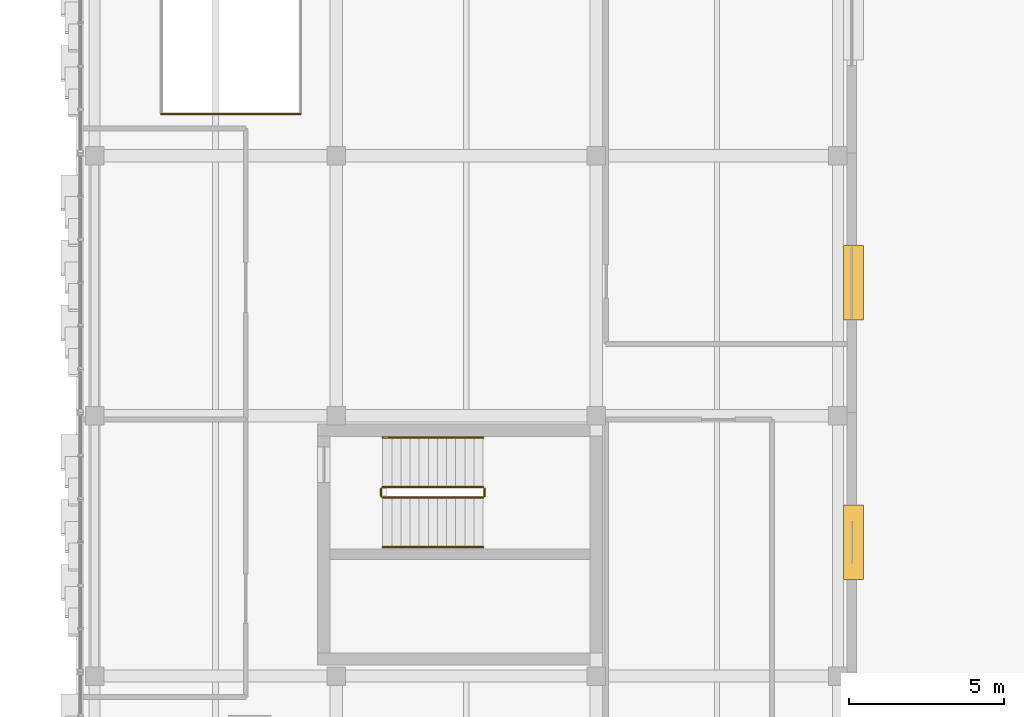
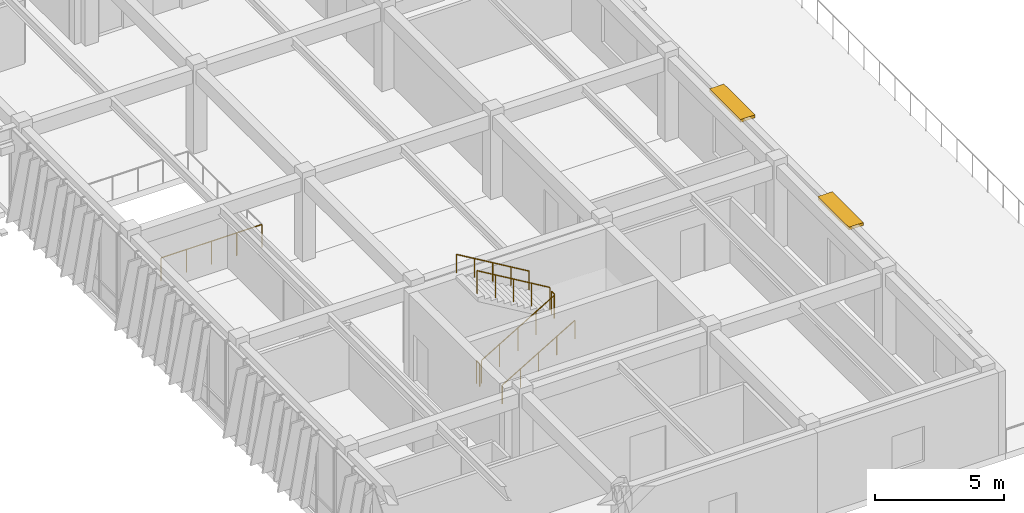
# One storey, part 119 of 127: 7 railings, 2 shading devices.
"""IFC4 building model written with IfcOpenShell, lengths in metres."""

from ifc_helpers import new_model, si_unit, direction, frame, origin, origin_2d, place, context, subcontext, project, spatial, rectangle, circle, extrude, material, type_object, element, save


model = new_model("IFC4")

# Units and contexts
model_context = context("Model", 3, precision=1e-05, world=origin(), true_north=direction((0.0, 1.0)))
body_context = subcontext(model_context, "Body", "Model", "MODEL_VIEW")
ifc_project = project(units=[si_unit("LENGTHUNIT", "METRE"), si_unit("AREAUNIT", "SQUARE_METRE"), si_unit("VOLUMEUNIT", "CUBIC_METRE"), si_unit("PLANEANGLEUNIT", "RADIAN"), si_unit("MASSUNIT", "GRAM", prefix="KILO")], contexts=[model_context])

# Site, building, storey
site_placement = place(None, origin())
site = spatial("IfcSite", under=ifc_project, at=site_placement, CompositionType="ELEMENT")
building_placement = place(site_placement, origin())
building = spatial("IfcBuilding", under=site, at=building_placement, Name="Zayran Congress Hotel", CompositionType="ELEMENT")
storey_placement = place(building_placement, frame((0.0, 0.0, 10.800048828125)))
storey = spatial("IfcBuildingStorey", under=building, at=storey_placement, Name="L02", CompositionType="ELEMENT", Elevation=10.800048828125)

# Shading devices
ifc_material_1 = material(Name="Precast concrete C40/50", Category="concrete")
shading_device_type = type_object("IfcShadingDeviceType", Name="TP-SHD-01", PredefinedType="JALOUSIE", material=ifc_material_1)
for number, where, z_axis, x_axis, name in (
    (1, (134.300048828125, 55.12109375, 3.77978515625), (0.0, 0.0, 1.0), (0.0, 1.0, 0.0), "Precast Brise Soleil Louvre 10"),
    (2, (134.300048828125, 63.5029296875, 3.77978515625), (0.0, 0.0, 1.0), (0.0, 1.0, 0.0), "Precast Brise Soleil Louvre 11"),
):
    element("IfcShadingDevice", number, at=place(storey_placement, frame(where, z_axis=z_axis, x_axis=x_axis)), inside=storey, type_object=shading_device_type, Name=name, PredefinedType="JALOUSIE", context=body_context, shape_type="SweptSolid", body=[
        extrude(rectangle(XDim=2.39990234375, YDim=0.64990234375, at=origin_2d()), origin(), (0.0, 0.0, 1.0), 0.139892578125),
    ])

# Railings
ifc_material_2 = material(Name="Painted steel balustrade", Category="steel")
railing_type_1 = type_object("IfcRailingType", Name="TP-GRD-INT", PredefinedType="GUARDRAIL", material=ifc_material_2)
railing_1_placement = place(storey_placement, frame((119.10009765625, 56.56005859375, 0.175048828125)))
element("IfcRailing", 3, at=railing_1_placement, inside=storey, type_object=railing_type_1, Name="L02 ST-08 stair guard 1", PredefinedType="GUARDRAIL", context=body_context, shape_type="SweptSolid", body=[
    extrude(circle(Radius=0.02392578125, at=origin_2d()), frame((0.0, 0.0, 1.076171875), z_axis=(0.860068610471, 0.0, 0.510178385746), x_axis=(0.0, 1.0, 0.0)), (0.0, 0.0, 1.0), 3.772705078125),
    extrude(circle(Radius=0.02099609375, at=origin_2d()), origin(), (0.0, 0.0, 1.0), 1.052001953125),
    extrude(circle(Radius=0.02099609375, at=origin_2d()), frame((0.811279296875, 0.0, 0.481201171875)), (0.0, 0.0, 1.0), 1.052001953125),
    extrude(circle(Radius=0.02099609375, at=origin_2d()), frame((1.62255859375, 0.0, 0.96240234375)), (0.0, 0.0, 1.0), 1.052001953125),
    extrude(circle(Radius=0.02099609375, at=origin_2d()), frame((2.43359375, 0.0, 1.443603515625)), (0.0, 0.0, 1.0), 1.052001953125),
    extrude(circle(Radius=0.02099609375, at=origin_2d()), frame((3.244873046875, 0.0, 1.9248046875)), (0.0, 0.0, 1.0), 1.052001953125),
])
railing_2_placement = place(storey_placement, frame((122.39501953125, 56.610107421875, 2.099853515625)))
element("IfcRailing", 4, at=railing_2_placement, inside=storey, type_object=railing_type_1, Name="L02 ST-08 stair guard 2", PredefinedType="GUARDRAIL", context=body_context, shape_type="SweptSolid", body=[
    extrude(circle(Radius=0.02392578125, at=origin_2d()), frame((0.0, 0.0, 1.076171875), z_axis=(0.0, 1.0, 0.0), x_axis=(-1.0, 0.0, 0.0)), (0.0, 0.0, 1.0), 0.239990234375),
    extrude(circle(Radius=0.02099609375, at=origin_2d()), origin(), (0.0, 0.0, 1.0), 1.052001953125),
    extrude(circle(Radius=0.02099609375, at=origin_2d()), frame((0.0, 0.239990234375, 0.0)), (0.0, 0.0, 1.0), 1.052001953125),
])
railing_3_placement = place(storey_placement, frame((122.344970703125, 56.89990234375, 2.27490234375)))
element("IfcRailing", 5, at=railing_3_placement, inside=storey, type_object=railing_type_1, Name="L02 ST-08 stair guard 3", PredefinedType="GUARDRAIL", context=body_context, shape_type="SweptSolid", body=[
    extrude(circle(Radius=0.02392578125, at=origin_2d()), frame((0.0, 0.0, 1.076171875), z_axis=(-0.860040215814, 0.0, 0.510226250974), x_axis=(0.0, -1.0, 0.0)), (0.0, 0.0, 1.0), 3.77294921875),
    extrude(circle(Radius=0.02099609375, at=origin_2d()), origin(), (0.0, 0.0, 1.0), 1.052001953125),
    extrude(circle(Radius=0.02099609375, at=origin_2d()), frame((-0.811279296875, 0.0, 0.481201171875)), (0.0, 0.0, 1.0), 1.052001953125),
    extrude(circle(Radius=0.02099609375, at=origin_2d()), frame((-1.62255859375, 0.0, 0.96240234375)), (0.0, 0.0, 1.0), 1.052001953125),
    extrude(circle(Radius=0.02099609375, at=origin_2d()), frame((-2.43359375, 0.0, 1.44384765625)), (0.0, 0.0, 1.0), 1.052001953125),
    extrude(circle(Radius=0.02099609375, at=origin_2d()), frame((-3.244873046875, 0.0, 1.925048828125)), (0.0, 0.0, 1.0), 1.052001953125),
])
railing_4_placement = place(storey_placement, frame((119.050048828125, 56.610107421875, 0.0)))
element("IfcRailing", 6, at=railing_4_placement, inside=storey, type_object=railing_type_1, Name="L02 ST-08 stair guard 4", PredefinedType="GUARDRAIL", context=body_context, shape_type="SweptSolid", body=[
    extrude(circle(Radius=0.02392578125, at=origin_2d()), frame((0.0, 0.0, 1.076171875), z_axis=(0.0, 1.0, 0.0), x_axis=(-1.0, 0.0, 0.0)), (0.0, 0.0, 1.0), 0.239990234375),
    extrude(circle(Radius=0.02099609375, at=origin_2d()), origin(), (0.0, 0.0, 1.0), 1.052001953125),
    extrude(circle(Radius=0.02099609375, at=origin_2d()), frame((0.0, 0.239990234375, 0.0)), (0.0, 0.0, 1.0), 1.052001953125),
])
railing_5_placement = place(storey_placement, frame((111.949951171875, 68.949951171875, 0.0)))
element("IfcRailing", 7, at=railing_5_placement, inside=storey, type_object=railing_type_1, Name="V4 L02 Interior Void Guardrail V4-L02-WL-S", PredefinedType="GUARDRAIL", context=body_context, shape_type="SweptSolid", body=[
    extrude(circle(Radius=0.02392578125, at=origin_2d()), frame((0.0, 0.0, 1.076171875), z_axis=(1.0, 0.0, 0.0), x_axis=(0.0, 1.0, 0.0)), (0.0, 0.0, 1.0), 4.5),
    extrude(circle(Radius=0.02099609375, at=origin_2d()), origin(), (0.0, 0.0, 1.0), 1.052001953125),
    extrude(circle(Radius=0.02099609375, at=origin_2d()), frame((1.125, 0.0, 0.0)), (0.0, 0.0, 1.0), 1.052001953125),
    extrude(circle(Radius=0.02099609375, at=origin_2d()), frame((2.25, 0.0, 0.0)), (0.0, 0.0, 1.0), 1.052001953125),
    extrude(circle(Radius=0.02099609375, at=origin_2d()), frame((3.375, 0.0, 0.0)), (0.0, 0.0, 1.0), 1.052001953125),
    extrude(circle(Radius=0.02099609375, at=origin_2d()), frame((4.5, 0.0, 0.0)), (0.0, 0.0, 1.0), 1.052001953125),
])
ifc_material_3 = material(Name="Brushed stainless steel handrail", Category="steel")
railing_type_2 = type_object("IfcRailingType", Name="TP-HND-STR", PredefinedType="HANDRAIL", material=ifc_material_3)
railing_6_placement = place(storey_placement, frame((119.10009765625, 54.9599609375, 0.175048828125)))
element("IfcRailing", 8, at=railing_6_placement, inside=storey, type_object=railing_type_2, Name="L02 ST-08 stair handrail 1", PredefinedType="HANDRAIL", context=body_context, shape_type="SweptSolid", body=[
    extrude(circle(Radius=0.02392578125, at=origin_2d()), frame((0.0, 0.0, 0.8759765625), z_axis=(0.860068610471, 0.0, 0.510178385746), x_axis=(0.0, 1.0, 0.0)), (0.0, 0.0, 1.0), 3.772705078125),
    extrude(circle(Radius=0.02099609375, at=origin_2d()), origin(), (0.0, 0.0, 1.0), 0.851806640625),
    extrude(circle(Radius=0.02099609375, at=origin_2d()), frame((0.811279296875, 0.0, 0.481201171875)), (0.0, 0.0, 1.0), 0.851806640625),
    extrude(circle(Radius=0.02099609375, at=origin_2d()), frame((1.62255859375, 0.0, 0.96240234375)), (0.0, 0.0, 1.0), 0.851806640625),
    extrude(circle(Radius=0.02099609375, at=origin_2d()), frame((2.43359375, 0.0, 1.443603515625)), (0.0, 0.0, 1.0), 0.851806640625),
    extrude(circle(Radius=0.02099609375, at=origin_2d()), frame((3.244873046875, 0.0, 1.9248046875)), (0.0, 0.0, 1.0), 0.851806640625),
])
railing_7_placement = place(storey_placement, frame((122.344970703125, 58.5, 2.27490234375)))
element("IfcRailing", 9, at=railing_7_placement, inside=storey, type_object=railing_type_2, Name="L02 ST-08 stair handrail 2", PredefinedType="HANDRAIL", context=body_context, shape_type="SweptSolid", body=[
    extrude(circle(Radius=0.02392578125, at=origin_2d()), frame((0.0, 0.0, 0.8759765625), z_axis=(-0.860040215814, 0.0, 0.510226250974), x_axis=(0.0, -1.0, 0.0)), (0.0, 0.0, 1.0), 3.77294921875),
    extrude(circle(Radius=0.02099609375, at=origin_2d()), origin(), (0.0, 0.0, 1.0), 0.851806640625),
    extrude(circle(Radius=0.02099609375, at=origin_2d()), frame((-0.811279296875, 0.0, 0.481201171875)), (0.0, 0.0, 1.0), 0.851806640625),
    extrude(circle(Radius=0.02099609375, at=origin_2d()), frame((-1.62255859375, 0.0, 0.96240234375)), (0.0, 0.0, 1.0), 0.851806640625),
    extrude(circle(Radius=0.02099609375, at=origin_2d()), frame((-2.43359375, 0.0, 1.44384765625)), (0.0, 0.0, 1.0), 0.851806640625),
    extrude(circle(Radius=0.02099609375, at=origin_2d()), frame((-3.244873046875, 0.0, 1.925048828125)), (0.0, 0.0, 1.0), 0.851806640625),
])

save(model, "model.ifc")
